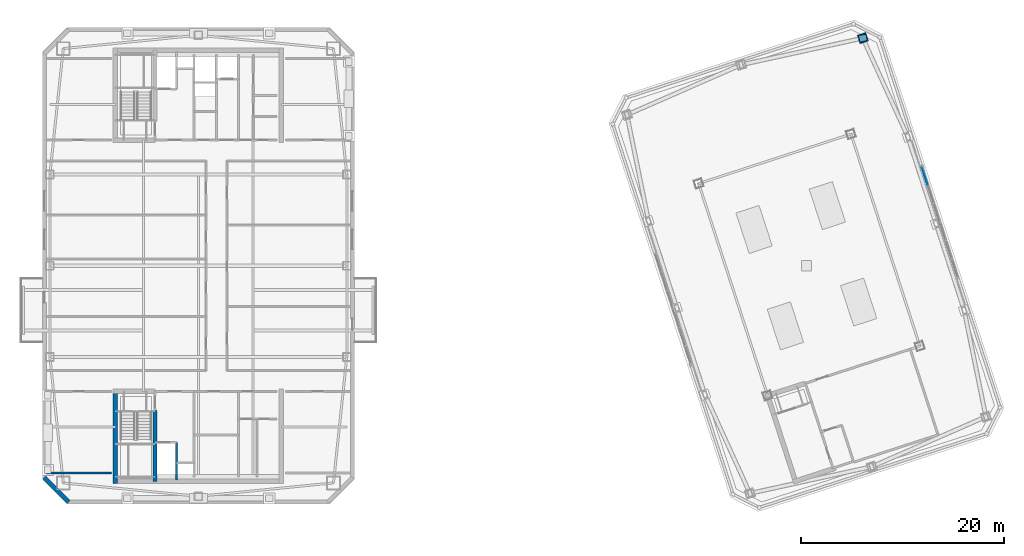
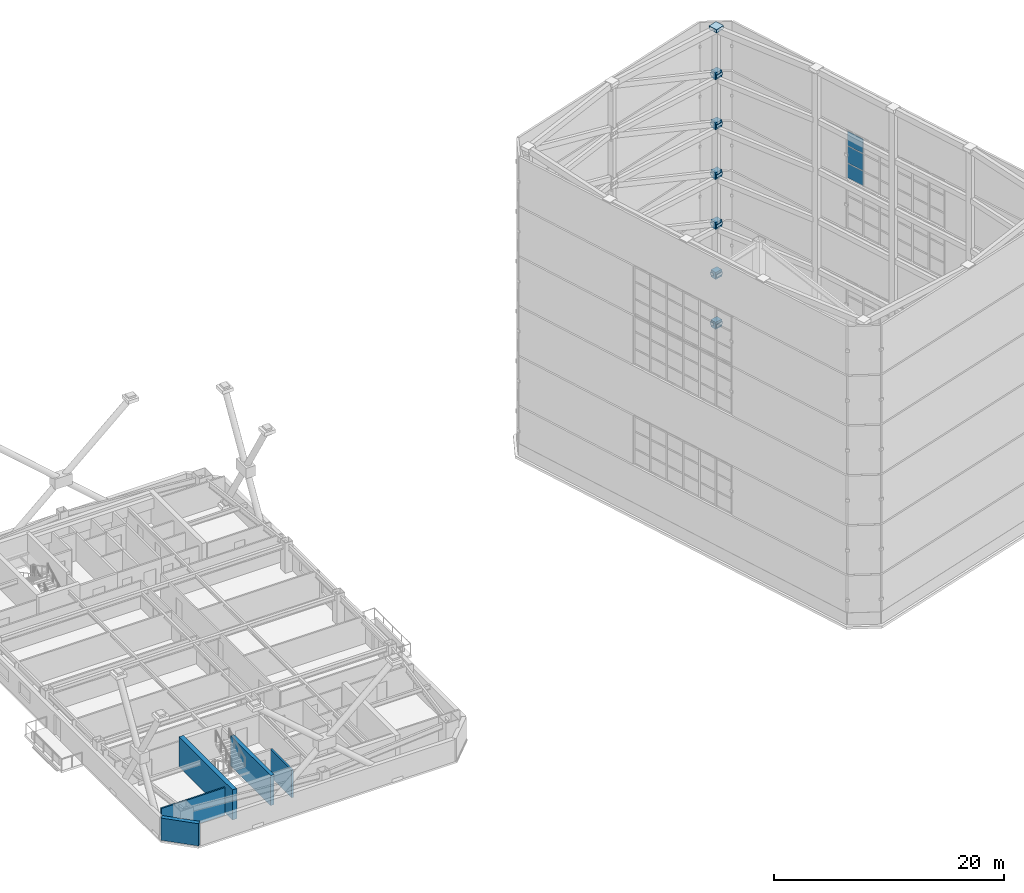
# One storey, part 47 of 56: 16 plates, 5 walls, 1 element without a shape of its own.
"""IFC4 building model written with IfcOpenShell, lengths in metres."""

import ifcopenshell
import ifcopenshell.guid

model = None  # the IFC model being written
_history = None  # IfcOwnerHistory: only IFC2X3 demands one
_inside = {}  # id of a spatial element -> (the spatial element, [elements in it])
_under = {}  # id of a project, library or spatial element -> (it, [spatial elements below it])
_declared = {}  # id of a project -> (the project, [libraries it declares])
_typed = {}  # id of a type object -> (the type object, [elements of that type])
_made_of = {}  # id of a material, layer set ... -> (it, [elements and type objects made of it])


def new_model(schema):
    """Start an empty IFC model of exactly this schema.

    Asked for "IFC4X3", IfcOpenShell would pick the latest addendum, in which some entities
    have other attributes; the version numbers below select the first issue.
    IFC2X3 requires an IfcOwnerHistory on every rooted entity: one is made here for all.
    """
    global model, _history
    if schema == "IFC4X3":
        model = ifcopenshell.file(schema_version=(4, 3, 0, 0))
    else:
        model = ifcopenshell.file(schema=schema)
    _inside.clear()
    _under.clear()
    _declared.clear()
    _typed.clear()
    _made_of.clear()
    _history = None
    if model.schema == "IFC2X3":
        org = make("IfcOrganization", Name="unknown")
        user = make(
            "IfcPersonAndOrganization",
            ThePerson=make("IfcPerson", FamilyName="unknown"),
            TheOrganization=org,
        )
        app = make(
            "IfcApplication",
            ApplicationDeveloper=org,
            Version="unknown",
            ApplicationFullName="unknown",
            ApplicationIdentifier="unknown",
        )
        _history = make(
            "IfcOwnerHistory",
            OwningUser=user,
            OwningApplication=app,
            ChangeAction="ADDED",
            CreationDate=0,
        )
    return model


def make(cls, **values):
    """One entity of the class cls with the attributes given. An attribute that is None is left unset."""
    return model.create_entity(
        cls, **{name: value for name, value in values.items() if value is not None}
    )


def rooted(cls, **values):
    """An entity with a GlobalId (a new one), such as an element, a storey or a relation."""
    return make(cls, GlobalId=ifcopenshell.guid.new(), OwnerHistory=_history, **values)


def si_unit(unit_type, name, prefix=None):
    """IfcSIUnit, for example si_unit("LENGTHUNIT", "METRE", prefix="MILLI")."""
    return make("IfcSIUnit", UnitType=unit_type, Prefix=prefix, Name=name)


def assignment(units):
    """IfcUnitAssignment: the units of a project."""
    return None if units is None else make("IfcUnitAssignment", Units=units)


def point(xyz):
    """IfcCartesianPoint."""
    return None if xyz is None else make("IfcCartesianPoint", Coordinates=xyz)


def direction(xyz):
    """IfcDirection."""
    return None if xyz is None else make("IfcDirection", DirectionRatios=xyz)


def frame(location, z_axis=None, x_axis=None):
    """IfcAxis2Placement3D, a coordinate frame: its origin and axes. An axis left out is left unset."""
    return make(
        "IfcAxis2Placement3D",
        Location=point(location),
        Axis=direction(z_axis),
        RefDirection=direction(x_axis),
    )


def frame_2d(location, x_axis=None):
    """IfcAxis2Placement2D, a coordinate frame in the plane: its origin and x axis."""
    return make(
        "IfcAxis2Placement2D", Location=point(location), RefDirection=direction(x_axis)
    )


def origin():
    """The frame at (0, 0, 0) with its axes left unset."""
    return frame((0.0, 0.0, 0.0))


def origin_2d():
    """The frame at (0, 0) in the plane with its x axis left unset."""
    return frame_2d((0.0, 0.0))


def place(relative_to, where):
    """IfcLocalPlacement: puts the frame where relative to a parent placement (None: the world)."""
    return make(
        "IfcLocalPlacement", PlacementRelTo=relative_to, RelativePlacement=where
    )


def context(
    kind, dimensions, precision=None, world=None, true_north=None, identifier=None
):
    """IfcGeometricRepresentationContext, for example the 3D "Model" context."""
    return make(
        "IfcGeometricRepresentationContext",
        ContextIdentifier=identifier,
        ContextType=kind,
        CoordinateSpaceDimension=dimensions,
        Precision=precision,
        WorldCoordinateSystem=world,
        TrueNorth=true_north,
    )


def subcontext(parent, identifier, kind, view, scale=None):
    """IfcGeometricRepresentationSubContext, for example "Body" below "Model"."""
    return make(
        "IfcGeometricRepresentationSubContext",
        ContextIdentifier=identifier,
        ContextType=kind,
        ParentContext=parent,
        TargetScale=scale,
        TargetView=view,
    )


def project(units=None, contexts=None):
    """IfcProject with its units and contexts."""
    return rooted(
        "IfcProject",
        Name="project",
        RepresentationContexts=contexts,
        UnitsInContext=assignment(units),
    )


def spatial(cls, under=None, at=None, **own):
    """A site, building, storey or space (cls), placed at a placement, below another one or the project."""
    s = rooted(cls, ObjectPlacement=at, **own)
    if under is not None:
        _under.setdefault(under.id(), (under, []))[1].append(s)
    return s


def profile(cls, at=None, kind="AREA", **sizes):
    """A parametric profile (cls). Its sizes go by their IFC names, for example OverallWidth=200.0."""
    return make(cls, ProfileType=kind, Position=at, **sizes)


def rectangle(**sizes):
    """IfcRectangleProfileDef."""
    return profile("IfcRectangleProfileDef", **sizes)


def extrude(swept, where, along, depth):
    """IfcExtrudedAreaSolid: the profile swept, set in the frame where, extruded along a direction by depth."""
    return make(
        "IfcExtrudedAreaSolid",
        SweptArea=swept,
        Position=where,
        ExtrudedDirection=direction(along),
        Depth=depth,
    )


def shape(context_of_items, identifier, shape_type, items):
    """IfcShapeRepresentation: the items that make up one representation, for example the "Body"."""
    return make(
        "IfcShapeRepresentation",
        ContextOfItems=context_of_items,
        RepresentationIdentifier=identifier,
        RepresentationType=shape_type,
        Items=items,
    )


def material(Name=None, Category=None):
    """IfcMaterial."""
    return make("IfcMaterial", Name=Name, Category=Category)


def layer(
    of_material, thickness, ventilated=None, Name=None, Category=None, Priority=None
):
    """IfcMaterialLayer: one layer of a wall or slab, of a material (None: an air gap)."""
    return make(
        "IfcMaterialLayer",
        Material=of_material,
        LayerThickness=thickness,
        IsVentilated=ventilated,
        Name=Name,
        Category=Category,
        Priority=Priority,
    )


def layer_set(layers, Name=None):
    """IfcMaterialLayerSet."""
    return make("IfcMaterialLayerSet", MaterialLayers=layers, LayerSetName=Name)


def made_of(thing, what):
    """Note that an element or type object is made of a material, layer set ...; save() writes the relation."""
    if what is not None:
        _made_of.setdefault(what.id(), (what, []))[1].append(thing)
    return thing


def type_object(cls, material=None, **own):
    """A type object (cls), such as IfcWallType, which elements share."""
    return made_of(rooted(cls, **own), material)


def element(
    cls,
    number,
    at=None,
    inside=None,
    cuts=None,
    type_object=None,
    material=None,
    context=None,
    identifier="Body",
    shape_type=None,
    held_by="IfcProductDefinitionShape",
    body=None,
    shapes=None,
    **own,
):
    """One element of the class cls, such as IfcWall. Its Tag is "e" and its number.

    at: its placement. inside: the storey or other place that contains it. cuts: it is an
    opening in that element (IfcRelVoidsElement). A single representation is given by context,
    identifier, shape_type and body (its items); several are given by shapes. held_by: the class
    of the entity that holds the representations. save() writes the other relations.
    """
    e = rooted(cls, Tag="e%d" % number, ObjectPlacement=at, **own)
    if body is not None:
        shapes = [shape(context, identifier, shape_type, body)]
    if shapes is not None:
        e.Representation = make(held_by, Representations=shapes)
    if inside is not None:
        _inside.setdefault(inside.id(), (inside, []))[1].append(e)
    if cuts is not None:
        rooted(
            "IfcRelVoidsElement", RelatingBuildingElement=cuts, RelatedOpeningElement=e
        )
    if type_object is not None:
        _typed.setdefault(type_object.id(), (type_object, []))[1].append(e)
    return made_of(e, material)


def aggregate(whole, parts):
    """IfcRelAggregates: a whole, such as a stair, and the parts it consists of."""
    return rooted("IfcRelAggregates", RelatingObject=whole, RelatedObjects=parts)


def save(model, path):
    """Write the relations noted so far, then the file.

    IfcRelAggregates (storeys below a building ...), IfcRelContainedInSpatialStructure (elements
    in a storey), IfcRelDefinesByType, IfcRelAssociatesMaterial and IfcRelDeclares: one each for
    every whole, place, type object, material and project.
    """
    for whole, parts in _under.values():
        aggregate(whole, parts)
    for where, things in _inside.values():
        rooted(
            "IfcRelContainedInSpatialStructure",
            RelatedElements=things,
            RelatingStructure=where,
        )
    for kind, things in _typed.values():
        rooted("IfcRelDefinesByType", RelatedObjects=things, RelatingType=kind)
    for what, things in _made_of.values():
        rooted("IfcRelAssociatesMaterial", RelatedObjects=things, RelatingMaterial=what)
    for by, libraries in _declared.values():
        rooted("IfcRelDeclares", RelatingContext=by, RelatedDefinitions=libraries)
    model.write(path)


model = new_model("IFC4")

# Units and contexts
model_context = context("Model", 3, precision=1e-05, world=origin(), true_north=direction((0.0, 1.0)))
body_context = subcontext(model_context, "Body", "Model", "MODEL_VIEW")
ifc_project = project(units=[si_unit("LENGTHUNIT", "METRE"), si_unit("AREAUNIT", "SQUARE_METRE"), si_unit("VOLUMEUNIT", "CUBIC_METRE"), si_unit("PLANEANGLEUNIT", "RADIAN"), si_unit("MASSUNIT", "GRAM", prefix="KILO")], contexts=[model_context])

# Site, building, storey
site_placement = place(None, origin())
site = spatial("IfcSite", under=ifc_project, at=site_placement, CompositionType="ELEMENT")
building_placement = place(site_placement, origin())
building = spatial("IfcBuilding", under=site, at=building_placement, Name="Qiaolan Cultural Towers", CompositionType="ELEMENT")
storey_placement = place(building_placement, frame((0.0, 0.0, 250.39990234375)))
storey = spatial("IfcBuildingStorey", under=building, at=storey_placement, Name="L68", CompositionType="ELEMENT", Elevation=250.39990234375)

# Curtain wall, plates
ifc_material_1 = material(Name="Unitized Anodized Aluminium Curtain Wall System", Category="aluminium")
ifc_layer_1 = layer(ifc_material_1, 0.199951171875)
ifc_layer_set_1 = layer_set([ifc_layer_1], Name="Unitized Anodized Aluminium Curtain Wall System")
curtain_wall_type = type_object("IfcCurtainWallType", Name="CWS-06", PredefinedType="NOTDEFINED", material=ifc_layer_set_1)
curtain_wall_placement = place(storey_placement, origin())
curtain_wall = element("IfcCurtainWall", 1, at=curtain_wall_placement, inside=storey, type_object=curtain_wall_type, Name="T2 Crown Tier 5 Fritted Screen Curtain Wall 3", PredefinedType="NOTDEFINED")
ifc_material_2 = material(Name="Laminated Low-E Insulating Glass Unit", Category="glass")
ifc_layer_2 = layer(ifc_material_2, 0.035888671875)
ifc_layer_set_2 = layer_set([ifc_layer_2], Name="Laminated Low-E Insulating Glass Unit")
plate_type_1 = type_object("IfcPlateType", Name="CWS-06-PNL", PredefinedType="CURTAIN_PANEL", material=ifc_layer_set_2)
plate_1_placement = place(storey_placement, frame((101.694580078125, 42.8271484375, 21.365234375), z_axis=(0.0, 0.0, 1.0), x_axis=(-0.309016935232, 0.951056535512, 0.0)))
plate_1 = element("IfcPlate", 2, at=plate_1_placement, type_object=plate_type_1, Name="CW-6 panel 6.1", PredefinedType="CURTAIN_PANEL", context=body_context, shape_type="SweptSolid", body=[
    extrude(rectangle(XDim=1.8076171875, YDim=0.035888671875, at=origin_2d()), origin(), (0.0, 0.0, 1.0), 1.532470703125),
])
plate_2_placement = place(storey_placement, frame((101.694580078125, 42.8271484375, 22.962646484375), z_axis=(0.0, 0.0, 1.0), x_axis=(-0.309016935232, 0.951056535512, 0.0)))
plate_2 = element("IfcPlate", 3, at=plate_2_placement, type_object=plate_type_1, Name="CW-6 panel 6.2", PredefinedType="CURTAIN_PANEL", context=body_context, shape_type="SweptSolid", body=[
    extrude(rectangle(XDim=1.8076171875, YDim=0.035888671875, at=origin_2d()), origin(), (0.0, 0.0, 1.0), 1.77490234375),
])
plate_3_placement = place(storey_placement, frame((101.694580078125, 42.8271484375, 24.802734375), z_axis=(0.0, 0.0, 1.0), x_axis=(-0.309016935232, 0.951056535512, 0.0)))
plate_3 = element("IfcPlate", 4, at=plate_3_placement, type_object=plate_type_1, Name="CW-6 panel 6.3", PredefinedType="CURTAIN_PANEL", context=body_context, shape_type="SweptSolid", body=[
    extrude(rectangle(XDim=1.8076171875, YDim=0.035888671875, at=origin_2d()), origin(), (0.0, 0.0, 1.0), 1.532470703125),
])
aggregate(curtain_wall, [plate_1, plate_2, plate_3])

# Plates
ifc_material_3 = material(Name="Steel Q355B", Category="steel")
ifc_layer_3 = layer(ifc_material_3, 0.035888671875)
ifc_layer_set_3 = layer_set([ifc_layer_3], Name="Steel Q355B")
plate_type_2 = type_object("IfcPlateType", Name="PL-CONN-36", PredefinedType="USERDEFINED", material=ifc_layer_set_3)
for number, where, z_axis, x_axis, name in (
    (5, (95.57177734375, 56.461181640625, -0.1201171875), (0.0, 0.0, 1.0), (0.976843236391, 0.213956284125, 0.0), "L68 Brace End Connection Gusset Plate GP-02-0894"),
    (6, (95.57177734375, 56.461181640625, 5.18017578125), (0.0, 0.0, 1.0), (0.976843236391, 0.213956284125, 0.0), "L68 Brace End Connection Gusset Plate GP-02-0902"),
    (7, (95.57177734375, 56.461181640625, 10.47998046875), (0.0, 0.0, 1.0), (0.976843236391, 0.213956284125, 0.0), "L68 Brace End Connection Gusset Plate GP-02-0910"),
    (8, (95.57177734375, 56.461181640625, 15.7802734375), (0.0, 0.0, 1.0), (0.976843236391, 0.213956284125, 0.0), "L68 Brace End Connection Gusset Plate GP-02-0918"),
    (9, (95.57177734375, 56.461181640625, 21.080078125), (0.0, 0.0, 1.0), (0.976843236391, 0.213956284125, 0.0), "L68 Brace End Connection Gusset Plate GP-02-0926"),
    (10, (95.57177734375, 56.461181640625, 26.3798828125), (0.0, 0.0, 1.0), (0.976843236391, 0.213956284125, 0.0), "L68 Brace End Connection Gusset Plate GP-02-0934"),
):
    element("IfcPlate", number, at=place(storey_placement, frame(where, z_axis=z_axis, x_axis=x_axis)), inside=storey, type_object=plate_type_2, Name=name, ObjectType="GUSSET_PLATE", PredefinedType="USERDEFINED", context=body_context, shape_type="SweptSolid", body=[
        extrude(rectangle(XDim=0.739990234375, YDim=0.6201171875, at=origin_2d()), origin(), (0.0, 0.0, 1.0), 0.739990234375),
    ])
ifc_material_4 = material(Name="Steel Q355B", Category="steel")
ifc_layer_4 = layer(ifc_material_4, 0.030029296875)
ifc_layer_set_4 = layer_set([ifc_layer_4], Name="Steel Q355B")
plate_type_3 = type_object("IfcPlateType", Name="PL-ENDCAP-30", PredefinedType="USERDEFINED", material=ifc_layer_set_4)
for number, where, z_axis, x_axis, name in (
    (11, (95.57177734375, 56.461181640625, 0.10009765625), (0.0, 0.0, 1.0), (0.951056516295, 0.309016994375, 0.0), "Crown Brace End Seal Plate CP-01"),
    (12, (95.57177734375, 56.461181640625, 5.39990234375), (0.0, 0.0, 1.0), (0.951056516295, 0.309016994375, 0.0), "Crown Brace End Seal Plate CP-01"),
    (13, (95.57177734375, 56.461181640625, 10.7001953125), (0.0, 0.0, 1.0), (0.951056516295, 0.309016994375, 0.0), "Crown Brace End Seal Plate CP-01"),
    (14, (95.57177734375, 56.461181640625, 16.0), (0.0, 0.0, 1.0), (0.951056516295, 0.309016994375, 0.0), "Crown Brace End Seal Plate CP-01"),
    (15, (95.57177734375, 56.461181640625, 21.30029296875), (0.0, 0.0, 1.0), (0.951056516295, 0.309016994375, 0.0), "Crown Brace End Seal Plate CP-01"),
    (16, (95.57177734375, 56.461181640625, 26.60009765625), (0.0, 0.0, 1.0), (0.951056516295, 0.309016994375, 0.0), "Crown Brace End Seal Plate CP-01"),
):
    element("IfcPlate", number, at=place(storey_placement, frame(where, z_axis=z_axis, x_axis=x_axis)), inside=storey, type_object=plate_type_3, Name=name, ObjectType="BASE_PLATE", PredefinedType="USERDEFINED", context=body_context, shape_type="SweptSolid", body=[
        extrude(rectangle(XDim=0.75, YDim=0.75, at=origin_2d()), origin(), (0.0, 0.0, 1.0), 0.300048828125),
    ])
plate_4_placement = place(storey_placement, frame((95.57177734375, 56.461181640625, 31.47509765625), z_axis=(0.0, 0.0, 1.0), x_axis=(0.951056516295, 0.309016994375, 0.0)))
element("IfcPlate", 17, at=plate_4_placement, inside=storey, type_object=plate_type_3, Name="Crown Top Cap Corner Seal Plate CP-01", ObjectType="BASE_PLATE", PredefinedType="USERDEFINED", context=body_context, shape_type="SweptSolid", body=[
    extrude(rectangle(XDim=0.89990234375, YDim=0.89990234375, at=origin_2d()), origin(), (0.0, 0.0, 1.0), 0.35009765625),
])

# Walls
ifc_material_5 = material(Name="Concrete C50", Category="concrete")
ifc_layer_5 = layer(ifc_material_5, 0.35009765625)
ifc_layer_set_5 = layer_set([ifc_layer_5], Name="Concrete C50")
wall_type_1 = type_object("IfcWallType", Name="WL-CORE-350", PredefinedType="SHEAR", material=ifc_layer_set_5)
wall_1_placement = place(storey_placement, frame((25.719970703125, 19.699951171875, 0.0), z_axis=(0.0, 0.0, 1.0), x_axis=(0.0, -1.0, 0.0)))
element("IfcWall", 18, at=wall_1_placement, inside=storey, type_object=wall_type_1, Name="L68 T1-CS Stair Core Dividing Web", PredefinedType="SHEAR", context=body_context, shape_type="SweptSolid", body=[
    extrude(rectangle(XDim=6.97998046875, YDim=0.35009765625, at=frame_2d((3.489990234375, 0.0))), origin(), (0.0, 0.0, 1.0), 3.2001953125),
])
ifc_material_6 = material(Name="Concrete C50", Category="concrete")
ifc_layer_6 = layer(ifc_material_6, 0.449951171875)
ifc_layer_set_6 = layer_set([ifc_layer_6], Name="Concrete C50")
wall_type_2 = type_object("IfcWallType", Name="WL-CORE-450", PredefinedType="SHEAR", material=ifc_layer_set_6)
wall_2_placement = place(storey_placement, frame((21.800048828125, 21.824951171875, 0.0), z_axis=(0.0, 0.0, 1.0), x_axis=(0.0, -1.0, 0.0)))
element("IfcWall", 19, at=wall_2_placement, inside=storey, type_object=wall_type_2, Name="L68 T1-CS West Core Shear Wall", PredefinedType="SHEAR", context=body_context, shape_type="SweptSolid", body=[
    extrude(rectangle(XDim=9.329833984375, YDim=0.449951171875, at=frame_2d((4.6650390625, 0.0))), origin(), (0.0, 0.0, 1.0), 3.2001953125),
])
ifc_material_7 = material(Name="Precast Concrete C50 Honed Stone Pier", Category="masonry")
ifc_layer_7 = layer(ifc_material_7, 0.39990234375)
ifc_layer_set_7 = layer_set([ifc_layer_7], Name="Precast Concrete C50 Honed Stone Pier")
wall_type_3 = type_object("IfcWallType", Name="WL-EXT-PIER-400", PredefinedType="SOLIDWALL", material=ifc_layer_set_7)
wall_3_placement = place(storey_placement, frame((17.199951171875, 10.699951171875, 0.0), z_axis=(0.0, 0.0, 1.0), x_axis=(-0.707070815327, 0.707142745217, 0.0)))
element("IfcWall", 20, at=wall_3_placement, inside=storey, type_object=wall_type_3, Name="L68 West Tower Precast Pier Facade Wall F8", PredefinedType="SOLIDWALL", context=body_context, shape_type="SweptSolid", body=[
    extrude(rectangle(XDim=3.39404296875, YDim=0.39990234375, at=frame_2d((1.697021484375, 0.0))), origin(), (0.0, 0.0, 1.0), 2.360107421875),
])
ifc_material_8 = material(Name="Concrete C35 Fire Wall", Category="concrete")
ifc_layer_8 = layer(ifc_material_8, 0.199951171875)
ifc_layer_set_8 = layer_set([ifc_layer_8], Name="Concrete C35 Fire Wall")
wall_type_4 = type_object("IfcWallType", Name="WL-FIRE-200", PredefinedType="PARTITIONING", material=ifc_layer_set_8)
wall_4_placement = place(storey_placement, frame((27.820068359375, 16.550048828125, 0.0), z_axis=(0.0, 0.0, 1.0), x_axis=(0.0, -1.0, 0.0)))
element("IfcWall", 21, at=wall_4_placement, inside=storey, type_object=wall_type_4, Name="L68 T1-CS Firefighting Hoistway East Wall", PredefinedType="PARTITIONING", context=body_context, shape_type="SweptSolid", body=[
    extrude(rectangle(XDim=3.699951171875, YDim=0.199951171875, at=frame_2d((1.85009765625, 0.0))), origin(), (0.0, 0.0, 1.0), 2.925048828125),
])
ifc_material_9 = material(Name="Autoclaved Aerated Concrete Block B06", Category="concrete")
ifc_layer_9 = layer(ifc_material_9, 0.14990234375)
ifc_layer_set_9 = layer_set([ifc_layer_9], Name="Autoclaved Aerated Concrete Block B06")
wall_type_5 = type_object("IfcWallType", Name="WL-PART-150", PredefinedType="PARTITIONING", material=ifc_layer_set_9)
wall_5_placement = place(storey_placement, frame((15.0, 13.550048828125, 0.0), z_axis=(0.0, 0.0, 1.0), x_axis=(1.0, 0.0, 0.0)))
element("IfcWall", 22, at=wall_5_placement, inside=storey, type_object=wall_type_5, Name="L68 T1 Flank Wall FLK-SW", PredefinedType="PARTITIONING", context=body_context, shape_type="SweptSolid", body=[
    extrude(rectangle(XDim=6.39990234375, YDim=0.14990234375, at=frame_2d((3.199951171875, 0.0))), origin(), (0.0, 0.0, 1.0), 2.925048828125),
])

save(model, "model.ifc")
